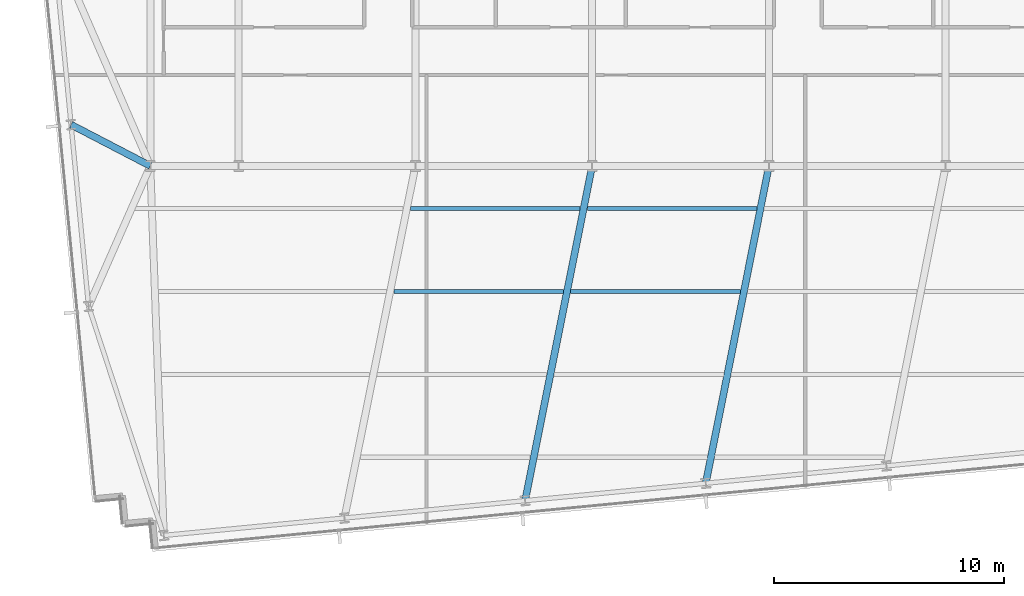
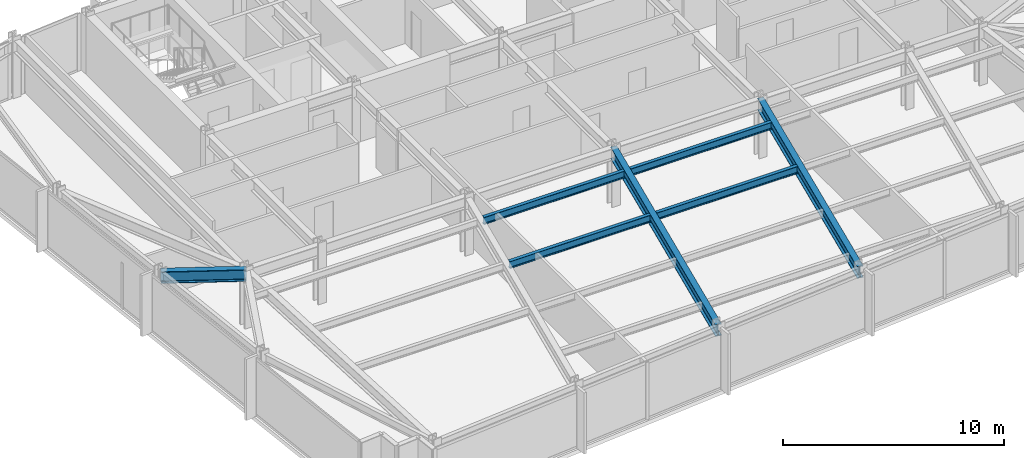
# One storey, part 5 of 32: 7 beams.
"""IFC4 building model written with IfcOpenShell, lengths in metres."""

from ifc_helpers import new_model, si_unit, direction, frame, origin, origin_2d, place, context, subcontext, project, spatial, i_section, extrude, material, material_profile, profile_set, type_object, element, save


model = new_model("IFC4")

# Units and contexts
model_context = context("Model", 3, precision=1e-05, world=origin(), true_north=direction((0.0, 1.0)))
body_context = subcontext(model_context, "Body", "Model", "MODEL_VIEW")
ifc_project = project(units=[si_unit("LENGTHUNIT", "METRE"), si_unit("AREAUNIT", "SQUARE_METRE"), si_unit("VOLUMEUNIT", "CUBIC_METRE"), si_unit("PLANEANGLEUNIT", "RADIAN"), si_unit("MASSUNIT", "GRAM", prefix="KILO")], contexts=[model_context])

# Site, building, storey
site_placement = place(None, origin())
site = spatial("IfcSite", under=ifc_project, at=site_placement, CompositionType="ELEMENT")
building_placement = place(site_placement, origin())
building = spatial("IfcBuilding", under=site, at=building_placement, Name="Yelkora Congress Tower", CompositionType="ELEMENT")
storey_placement = place(building_placement, frame((0.0, 0.0, 113.5)))
storey = spatial("IfcBuildingStorey", under=building, at=storey_placement, Name="L30", CompositionType="ELEMENT", Elevation=113.5)

# Beams
ifc_material = material(Name="Steel S355J2", Category="steel")
ifc_material_profile_1 = material_profile(ifc_material, i_section(OverallWidth=0.300048828125, OverallDepth=0.64990234375, WebThickness=0.01611328125, FlangeThickness=0.031005859375, FilletRadius=0.027099609375, at=origin_2d()), Name="HEB 650")
ifc_profile_set_1 = profile_set([ifc_material_profile_1], Name="Steel S355J2")
beam_type_1 = type_object("IfcBeamType", Name="BM-GIRD-HEB650", PredefinedType="BEAM", material=ifc_profile_set_1)
beam_1_placement = place(storey_placement, frame((35.48486328125, 10.656005859375, 2.85498046875), z_axis=(0.196521264673, 0.980499562739, 0.0), x_axis=(-0.980499562739, 0.196521264673, 0.0)))
element("IfcBeam", 1, at=beam_1_placement, inside=storey, type_object=beam_type_1, Name="L30 Primary Frame Girder S03", PredefinedType="BEAM", context=body_context, shape_type="SweptSolid", body=[
    extrude(i_section(OverallWidth=0.300048828125, OverallDepth=0.64990234375, WebThickness=0.01611328125, FlangeThickness=0.031005859375, FilletRadius=0.027099609375, at=origin_2d()), origin(), (0.0, 0.0, 1.0), 14.833251953125),
])
beam_2_placement = place(storey_placement, frame((43.334228515625, 11.411865234375, 2.85498046875), z_axis=(0.195311238928, 0.980741311432, 0.0), x_axis=(-0.980741311432, 0.195311238928, 0.0)))
element("IfcBeam", 2, at=beam_2_placement, inside=storey, type_object=beam_type_1, Name="L30 Primary Frame Girder S04", PredefinedType="BEAM", context=body_context, shape_type="SweptSolid", body=[
    extrude(i_section(OverallWidth=0.300048828125, OverallDepth=0.64990234375, WebThickness=0.01611328125, FlangeThickness=0.031005859375, FilletRadius=0.027099609375, at=origin_2d()), origin(), (0.0, 0.0, 1.0), 14.058837890625),
])
beam_3_placement = place(storey_placement, frame((15.757080078125, 26.990478515625, 2.85498046875), z_axis=(0.887192078676, -0.461400276912, 0.0), x_axis=(0.461400276912, 0.887192078676, 0.0)))
element("IfcBeam", 3, at=beam_3_placement, inside=storey, type_object=beam_type_1, Name="L30 Primary Frame Girder W02", PredefinedType="BEAM", context=body_context, shape_type="SweptSolid", body=[
    extrude(i_section(OverallWidth=0.300048828125, OverallDepth=0.64990234375, WebThickness=0.01611328125, FlangeThickness=0.031005859375, FilletRadius=0.027099609375, at=origin_2d()), origin(), (0.0, 0.0, 1.0), 3.880615234375),
])
ifc_material_profile_2 = material_profile(ifc_material, i_section(OverallWidth=0.179931640625, OverallDepth=0.39990234375, WebThickness=0.008544921875, FlangeThickness=0.013427734375, FilletRadius=0.02099609375, at=origin_2d()), Name="IPE 400")
ifc_profile_set_2 = profile_set([ifc_material_profile_2], Name="Steel S355J2")
beam_type_2 = type_object("IfcBeamType", Name="BM-JOIST-IPE400", PredefinedType="JOIST", material=ifc_profile_set_2)
beam_4_placement = place(storey_placement, frame((29.780029296875, 19.744384765625, 2.97998046875), z_axis=(1.0, 0.0, 0.0), x_axis=(0.0, 1.0, 0.0)))
element("IfcBeam", 4, at=beam_4_placement, inside=storey, type_object=beam_type_2, Name="L30 Composite Floor Joist 12", PredefinedType="JOIST", context=body_context, shape_type="SweptSolid", body=[
    extrude(i_section(OverallWidth=0.179931640625, OverallDepth=0.39990234375, WebThickness=0.008544921875, FlangeThickness=0.013427734375, FilletRadius=0.02099609375, at=origin_2d()), origin(), (0.0, 0.0, 1.0), 7.366455078125),
])
beam_5_placement = place(storey_placement, frame((37.466552734375, 19.744384765625, 2.97998046875), z_axis=(1.0, 0.0, 0.0), x_axis=(0.0, 1.0, 0.0)))
element("IfcBeam", 5, at=beam_5_placement, inside=storey, type_object=beam_type_2, Name="L30 Composite Floor Joist 13", PredefinedType="JOIST", context=body_context, shape_type="SweptSolid", body=[
    extrude(i_section(OverallWidth=0.179931640625, OverallDepth=0.39990234375, WebThickness=0.008544921875, FlangeThickness=0.013427734375, FilletRadius=0.02099609375, at=origin_2d()), origin(), (0.0, 0.0, 1.0), 7.366943359375),
])
beam_6_placement = place(storey_placement, frame((30.505859375, 23.344482421875, 2.97998046875), z_axis=(1.0, 0.0, 0.0), x_axis=(0.0, 1.0, 0.0)))
element("IfcBeam", 6, at=beam_6_placement, inside=storey, type_object=beam_type_2, Name="L30 Composite Floor Joist 19", PredefinedType="JOIST", context=body_context, shape_type="SweptSolid", body=[
    extrude(i_section(OverallWidth=0.179931640625, OverallDepth=0.39990234375, WebThickness=0.008544921875, FlangeThickness=0.013427734375, FilletRadius=0.02099609375, at=origin_2d()), origin(), (0.0, 0.0, 1.0), 7.3623046875),
])
beam_7_placement = place(storey_placement, frame((38.18798828125, 23.344482421875, 2.97998046875), z_axis=(1.0, 0.0, 0.0), x_axis=(0.0, 1.0, 0.0)))
element("IfcBeam", 7, at=beam_7_placement, inside=storey, type_object=beam_type_2, Name="L30 Composite Floor Joist 20", PredefinedType="JOIST", context=body_context, shape_type="SweptSolid", body=[
    extrude(i_section(OverallWidth=0.179931640625, OverallDepth=0.39990234375, WebThickness=0.008544921875, FlangeThickness=0.013427734375, FilletRadius=0.02099609375, at=origin_2d()), origin(), (0.0, 0.0, 1.0), 7.362548828125),
])

save(model, "model.ifc")
